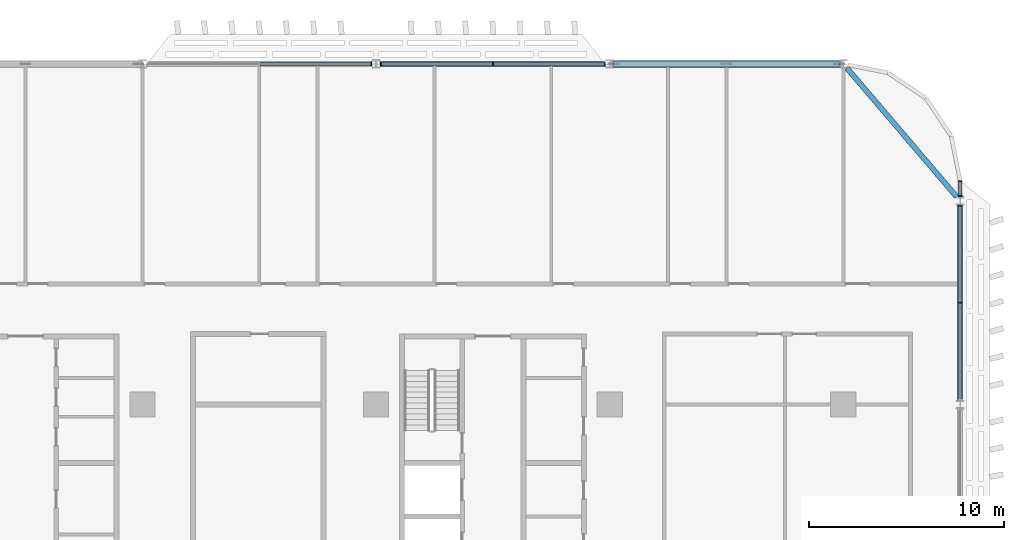
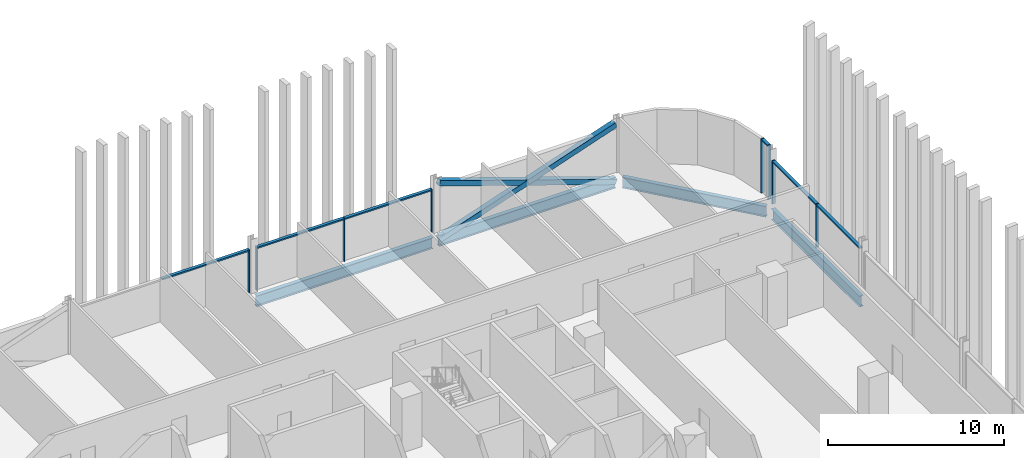
# One storey, part 10 of 32: 17 members, 4 beams, 4 elements without a shape of their own.
"""IFC4 building model written with IfcOpenShell, lengths in metres."""

from ifc_helpers import new_model, si_unit, direction, frame, origin, origin_2d, place, context, subcontext, project, spatial, rectangle, hollow_rectangle, i_section, extrude, material, material_profile, profile_set, type_object, element, aggregate, save


model = new_model("IFC4")

# Units and contexts
model_context = context("Model", 3, precision=1e-05, world=origin(), true_north=direction((0.0, 1.0)))
body_context = subcontext(model_context, "Body", "Model", "MODEL_VIEW")
ifc_project = project(units=[si_unit("LENGTHUNIT", "METRE"), si_unit("AREAUNIT", "SQUARE_METRE"), si_unit("VOLUMEUNIT", "CUBIC_METRE"), si_unit("PLANEANGLEUNIT", "RADIAN"), si_unit("MASSUNIT", "GRAM", prefix="KILO")], contexts=[model_context])

# Site, building, storey
site_placement = place(None, origin())
site = spatial("IfcSite", under=ifc_project, at=site_placement, CompositionType="ELEMENT")
building_placement = place(site_placement, origin())
building = spatial("IfcBuilding", under=site, at=building_placement, Name="Mahtab Terrace Research Tower", CompositionType="ELEMENT")
storey_placement = place(building_placement, frame((0.0, 0.0, 138.39990234375)))
storey = spatial("IfcBuildingStorey", under=building, at=storey_placement, Name="L32", CompositionType="ELEMENT", Elevation=138.39990234375)

# Members
ifc_material_1 = material(Name="Steel ASTM A500 Gr C", Category="steel")
ifc_material_profile_1 = material_profile(ifc_material_1, hollow_rectangle(XDim=0.355712890625, YDim=0.355712890625, WallThickness=0.01904296875, at=origin_2d()), Name="HSS14X14X3/4")
ifc_profile_set_1 = profile_set([ifc_material_profile_1], Name="Steel ASTM A500 Gr C")
member_type_1 = type_object("IfcMemberType", Name="HSS 14x14x3/4 brace XB141434", PredefinedType="BRACE", material=ifc_profile_set_1)
member_1_placement = place(storey_placement, frame((41.794189453125, 29.0, -0.64794921875), z_axis=(-0.946294377485, 0.0, 0.323306280699), x_axis=(0.0, -1.0, 0.0)))
element("IfcMember", 1, at=member_1_placement, inside=storey, type_object=member_type_1, Name="Exoskeleton brace L32 01 a", PredefinedType="BRACE", context=body_context, shape_type="SweptSolid", body=[
    extrude(hollow_rectangle(XDim=0.355712890625, YDim=0.355712890625, WallThickness=0.01904296875, at=origin_2d()), origin(), (0.0, 0.0, 1.0), 12.24609375),
])
for number, where, z_axis, x_axis, name in (
    (2, (30.205810546875, 29.0, -0.64794921875), (0.946300476713, 0.0, 0.323288428146), (0.0, 1.0, 0.0), "Exoskeleton brace L32 01 b1"),
    (3, (36.0, 29.0, 1.33154296875), (0.946288278, 0.0, 0.323324132908), (0.0, 1.0, 0.0), "Exoskeleton brace L32 01 b2"),
):
    element("IfcMember", number, at=place(storey_placement, frame(where, z_axis=z_axis, x_axis=x_axis)), inside=storey, type_object=member_type_1, Name=name, PredefinedType="BRACE", context=body_context, shape_type="SweptSolid", body=[
        extrude(hollow_rectangle(XDim=0.355712890625, YDim=0.355712890625, WallThickness=0.01904296875, at=origin_2d()), origin(), (0.0, 0.0, 1.0), 6.123046875),
    ])

# Curtain wall, members
ifc_material_2 = material(Name="Laboratory ribbon curtain wall")
curtain_wall_type = type_object("IfcCurtainWallType", Name="Laboratory ribbon curtain wall", PredefinedType="NOTDEFINED", material=ifc_material_2)
curtain_wall_1_placement = place(storey_placement, origin())
curtain_wall_1 = element("IfcCurtainWall", 4, at=curtain_wall_1_placement, inside=storey, type_object=curtain_wall_type, Name="EN.L32.3.4", PredefinedType="NOTDEFINED")
ifc_material_3 = material(Name="Natural anodised aluminium", Category="aluminium")
ifc_material_profile_2 = material_profile(ifc_material_3, rectangle(XDim=0.199951171875, YDim=0.06494140625, at=origin_2d()), Name="MULLION 65x200")
ifc_profile_set_2 = profile_set([ifc_material_profile_2], Name="Natural anodised aluminium")
member_type_2 = type_object("IfcMemberType", Name="Laboratory ribbon curtain wall mullion", PredefinedType="MULLION", material=ifc_profile_set_2)
member_2_placement = place(storey_placement, frame((29.74951171875, 29.0, 0.0), z_axis=(0.0, 0.0, 1.0), x_axis=(0.0, -1.0, 0.0)))
member_2 = element("IfcMember", 5, at=member_2_placement, type_object=member_type_2, Name="CWL-4 mullion 1", PredefinedType="MULLION", context=body_context, shape_type="SweptSolid", body=[
    extrude(rectangle(XDim=0.199951171875, YDim=0.06494140625, at=origin_2d()), origin(), (0.0, 0.0, 1.0), 3.003173828125),
])
member_3_placement = place(storey_placement, frame((24.0, 29.0, 0.0), z_axis=(0.0, 0.0, 1.0), x_axis=(0.0, -1.0, 0.0)))
member_3 = element("IfcMember", 6, at=member_3_placement, type_object=member_type_2, Name="CWL-4 mullion 2", PredefinedType="MULLION", context=body_context, shape_type="SweptSolid", body=[
    extrude(rectangle(XDim=0.199951171875, YDim=0.06494140625, at=origin_2d()), origin(), (0.0, 0.0, 1.0), 3.003173828125),
])
member_4_placement = place(storey_placement, frame((18.25048828125, 29.0, 0.0), z_axis=(0.0, 0.0, 1.0), x_axis=(0.0, -1.0, 0.0)))
member_4 = element("IfcMember", 7, at=member_4_placement, type_object=member_type_2, Name="CWL-4 mullion 3", PredefinedType="MULLION", context=body_context, shape_type="SweptSolid", body=[
    extrude(rectangle(XDim=0.199951171875, YDim=0.06494140625, at=origin_2d()), origin(), (0.0, 0.0, 1.0), 3.003173828125),
])

# Curtain wall, member
curtain_wall_2_placement = place(storey_placement, origin())
curtain_wall_2 = element("IfcCurtainWall", 8, at=curtain_wall_2_placement, inside=storey, type_object=curtain_wall_type, Name="EN.L32.3.5", PredefinedType="NOTDEFINED")
member_5_placement = place(storey_placement, frame((17.74951171875, 29.0, 0.0), z_axis=(0.0, 0.0, 1.0), x_axis=(0.0, -1.0, 0.0)))
member_5 = element("IfcMember", 9, at=member_5_placement, type_object=member_type_2, Name="CWL-4 mullion 1", PredefinedType="MULLION", context=body_context, shape_type="SweptSolid", body=[
    extrude(rectangle(XDim=0.199951171875, YDim=0.06494140625, at=origin_2d()), origin(), (0.0, 0.0, 1.0), 3.003173828125),
])

# Curtain wall, members
curtain_wall_3_placement = place(storey_placement, origin())
curtain_wall_3 = element("IfcCurtainWall", 10, at=curtain_wall_3_placement, inside=storey, type_object=curtain_wall_type, Name="EN.L32.18.38", PredefinedType="NOTDEFINED")
member_6_placement = place(storey_placement, frame((48.0, 16.73095703125, 0.0), z_axis=(0.0, 0.0, 1.0), x_axis=(-1.0, 0.0, 0.0)))
member_6 = element("IfcMember", 11, at=member_6_placement, type_object=member_type_2, Name="CWL-4 mullion 2", PredefinedType="MULLION", context=body_context, shape_type="SweptSolid", body=[
    extrude(rectangle(XDim=0.199951171875, YDim=0.06494140625, at=origin_2d()), origin(), (0.0, 0.0, 1.0), 3.003173828125),
])
member_7_placement = place(storey_placement, frame((48.0, 21.71142578125, 0.0), z_axis=(0.0, 0.0, 1.0), x_axis=(-1.0, 0.0, 0.0)))
member_7 = element("IfcMember", 12, at=member_7_placement, type_object=member_type_2, Name="CWL-4 mullion 3", PredefinedType="MULLION", context=body_context, shape_type="SweptSolid", body=[
    extrude(rectangle(XDim=0.199951171875, YDim=0.06494140625, at=origin_2d()), origin(), (0.0, 0.0, 1.0), 3.003173828125),
])

curtain_wall_4_placement = place(storey_placement, origin())
curtain_wall_4 = element("IfcCurtainWall", 13, at=curtain_wall_4_placement, inside=storey, type_object=curtain_wall_type, Name="EN.L32.18.39", PredefinedType="NOTDEFINED")
member_8_placement = place(storey_placement, frame((48.0, 22.21240234375, 0.0), z_axis=(0.0, 0.0, 1.0), x_axis=(-1.0, 0.0, 0.0)))
member_8 = element("IfcMember", 14, at=member_8_placement, type_object=member_type_2, Name="CWL-4 mullion 1", PredefinedType="MULLION", context=body_context, shape_type="SweptSolid", body=[
    extrude(rectangle(XDim=0.199951171875, YDim=0.06494140625, at=origin_2d()), origin(), (0.0, 0.0, 1.0), 3.760009765625),
])
member_9_placement = place(storey_placement, frame((48.0, 22.967529296875, 0.0), z_axis=(0.0, 0.0, 1.0), x_axis=(-1.0, 0.0, 0.0)))
member_9 = element("IfcMember", 15, at=member_9_placement, type_object=member_type_2, Name="CWL-4 mullion 2", PredefinedType="MULLION", context=body_context, shape_type="SweptSolid", body=[
    extrude(rectangle(XDim=0.199951171875, YDim=0.06494140625, at=origin_2d()), origin(), (0.0, 0.0, 1.0), 3.760009765625),
])

# Member
ifc_material_profile_3 = material_profile(ifc_material_3, rectangle(XDim=0.199951171875, YDim=0.10009765625, at=origin_2d()), Name="TRANSOM 100x200")
ifc_profile_set_3 = profile_set([ifc_material_profile_3], Name="Natural anodised aluminium")
member_type_3 = type_object("IfcMemberType", Name="Laboratory ribbon curtain wall transom", PredefinedType="USERDEFINED", material=ifc_profile_set_3)
member_10_placement = place(storey_placement, frame((29.717041015625, 29.0, 2.953125), z_axis=(-1.0, 0.0, 0.0), x_axis=(0.0, -1.0, 0.0)))
member_10 = element("IfcMember", 16, at=member_10_placement, type_object=member_type_3, Name="CWL-4 transom 1", ObjectType="TRANSOM", PredefinedType="USERDEFINED", context=body_context, shape_type="SweptSolid", body=[
    extrude(rectangle(XDim=0.199951171875, YDim=0.10009765625, at=origin_2d()), origin(), (0.0, 0.0, 1.0), 5.6845703125),
])

member_11_placement = place(storey_placement, frame((23.967529296875, 29.0, 2.953125), z_axis=(-1.0, 0.0, 0.0), x_axis=(0.0, -1.0, 0.0)))
member_11 = element("IfcMember", 17, at=member_11_placement, type_object=member_type_3, Name="CWL-4 transom 2", ObjectType="TRANSOM", PredefinedType="USERDEFINED", context=body_context, shape_type="SweptSolid", body=[
    extrude(rectangle(XDim=0.199951171875, YDim=0.10009765625, at=origin_2d()), origin(), (0.0, 0.0, 1.0), 5.6845703125),
])

aggregate(curtain_wall_1, [member_2, member_3, member_4, member_10, member_11])

member_12_placement = place(storey_placement, frame((17.717041015625, 29.0, 2.953125), z_axis=(-1.0, 0.0, 0.0), x_axis=(0.0, -1.0, 0.0)))
member_12 = element("IfcMember", 18, at=member_12_placement, type_object=member_type_3, Name="CWL-4 transom 1", ObjectType="TRANSOM", PredefinedType="USERDEFINED", context=body_context, shape_type="SweptSolid", body=[
    extrude(rectangle(XDim=0.199951171875, YDim=0.10009765625, at=origin_2d()), origin(), (0.0, 0.0, 1.0), 5.6845703125),
])

aggregate(curtain_wall_2, [member_5, member_12])

member_13_placement = place(storey_placement, frame((48.0, 11.782958984375, 2.953125), z_axis=(0.0, 1.0, 0.0), x_axis=(-1.0, 0.0, 0.0)))
member_13 = element("IfcMember", 19, at=member_13_placement, type_object=member_type_3, Name="CWL-4 transom 1", ObjectType="TRANSOM", PredefinedType="USERDEFINED", context=body_context, shape_type="SweptSolid", body=[
    extrude(rectangle(XDim=0.199951171875, YDim=0.10009765625, at=origin_2d()), origin(), (0.0, 0.0, 1.0), 4.91552734375),
])

member_14_placement = place(storey_placement, frame((48.0, 16.763427734375, 2.953125), z_axis=(0.0, 1.0, 0.0), x_axis=(-1.0, 0.0, 0.0)))
member_14 = element("IfcMember", 20, at=member_14_placement, type_object=member_type_3, Name="CWL-4 transom 2", ObjectType="TRANSOM", PredefinedType="USERDEFINED", context=body_context, shape_type="SweptSolid", body=[
    extrude(rectangle(XDim=0.199951171875, YDim=0.10009765625, at=origin_2d()), origin(), (0.0, 0.0, 1.0), 4.91552734375),
])

aggregate(curtain_wall_3, [member_6, member_7, member_13, member_14])

member_15_placement = place(storey_placement, frame((48.0, 22.2451171875, 3.710205078125), z_axis=(0.0, 1.0, 0.0), x_axis=(-1.0, 0.0, 0.0)))
member_15 = element("IfcMember", 21, at=member_15_placement, type_object=member_type_3, Name="CWL-4 transom 1", ObjectType="TRANSOM", PredefinedType="USERDEFINED", context=body_context, shape_type="SweptSolid", body=[
    extrude(rectangle(XDim=0.199951171875, YDim=0.10009765625, at=origin_2d()), origin(), (0.0, 0.0, 1.0), 0.68994140625),
])

aggregate(curtain_wall_4, [member_8, member_9, member_15])

# Beams
ifc_material_4 = material(Name="Steel ASTM A992 Gr 50", Category="steel")
ifc_material_profile_4 = material_profile(ifc_material_4, i_section(OverallWidth=0.2666015625, OverallDepth=0.7568359375, WebThickness=0.013916015625, FlangeThickness=0.019287109375, at=origin_2d()), Name="W30X108")
ifc_profile_set_4 = profile_set([ifc_material_profile_4], Name="Steel ASTM A992 Gr 50")
beam_type = type_object("IfcBeamType", Name="W30x108 beam BS30108", PredefinedType="BEAM", material=ifc_profile_set_4)
for number, where, z_axis, x_axis, name in (
    (22, (41.794189453125, 29.0, -0.71826171875), (-1.0, 0.0, 0.0), (0.0, -1.0, 0.0), "Spandrel beam L32 01"),
    (23, (29.794189453125, 29.0, -0.71826171875), (-1.0, 0.0, 0.0), (0.0, -1.0, 0.0), "Spandrel beam L32 02"),
):
    element("IfcBeam", number, at=place(storey_placement, frame(where, z_axis=z_axis, x_axis=x_axis)), inside=storey, type_object=beam_type, Name=name, PredefinedType="BEAM", context=body_context, shape_type="SweptSolid", body=[
        extrude(i_section(OverallWidth=0.2666015625, OverallDepth=0.7568359375, WebThickness=0.013916015625, FlangeThickness=0.019287109375, at=origin_2d()), origin(), (0.0, 0.0, 1.0), 11.58837890625),
    ])
beam_1_placement = place(storey_placement, frame((48.0, 11.717041015625, -0.71826171875), z_axis=(0.0, 1.0, 0.0), x_axis=(-1.0, 0.0, 0.0)))
element("IfcBeam", 24, at=beam_1_placement, inside=storey, type_object=beam_type, Name="Spandrel beam L32 24", PredefinedType="BEAM", context=body_context, shape_type="SweptSolid", body=[
    extrude(i_section(OverallWidth=0.2666015625, OverallDepth=0.7568359375, WebThickness=0.013916015625, FlangeThickness=0.019287109375, at=origin_2d()), origin(), (0.0, 0.0, 1.0), 10.02783203125),
])
beam_2_placement = place(storey_placement, frame((47.81494140625, 22.17919921875, -0.71826171875), z_axis=(-0.648764091423, 0.760989588417, 0.0), x_axis=(-0.760989588417, -0.648764091423, 0.0)))
element("IfcBeam", 25, at=beam_2_placement, inside=storey, type_object=beam_type, Name="Spandrel beam L32 25", PredefinedType="BEAM", context=body_context, shape_type="SweptSolid", body=[
    extrude(i_section(OverallWidth=0.2666015625, OverallDepth=0.7568359375, WebThickness=0.013916015625, FlangeThickness=0.019287109375, at=origin_2d()), origin(), (0.0, 0.0, 1.0), 8.677978515625),
])

save(model, "model.ifc")
